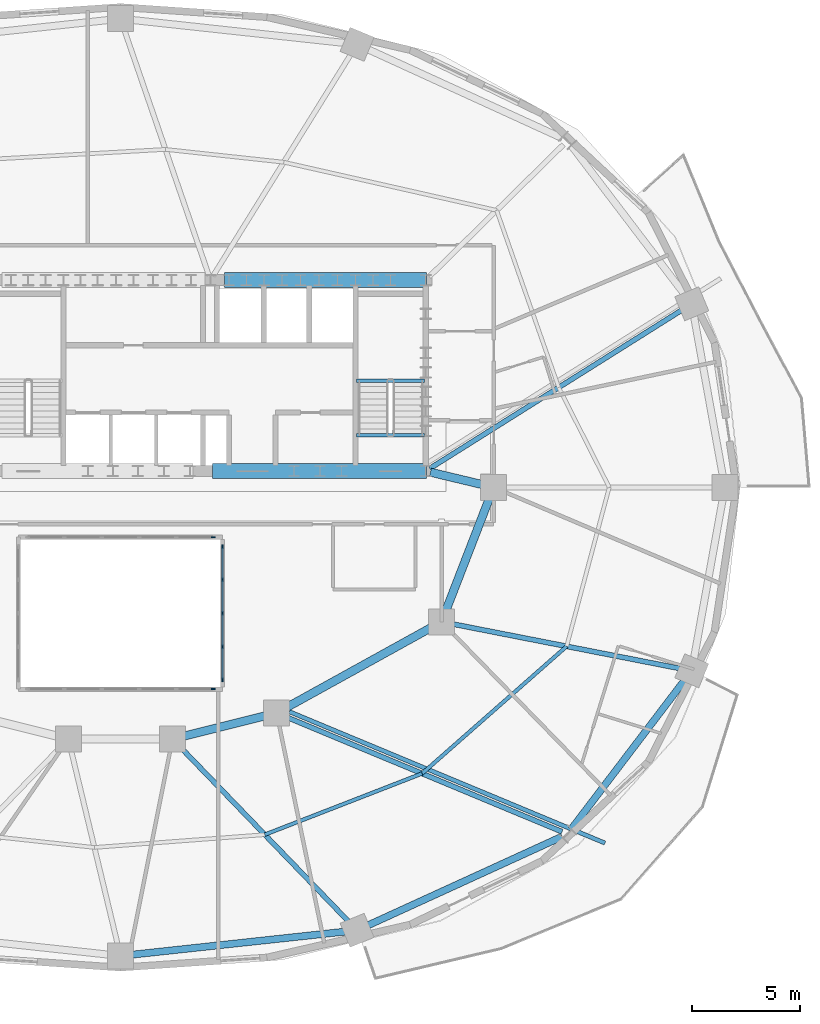
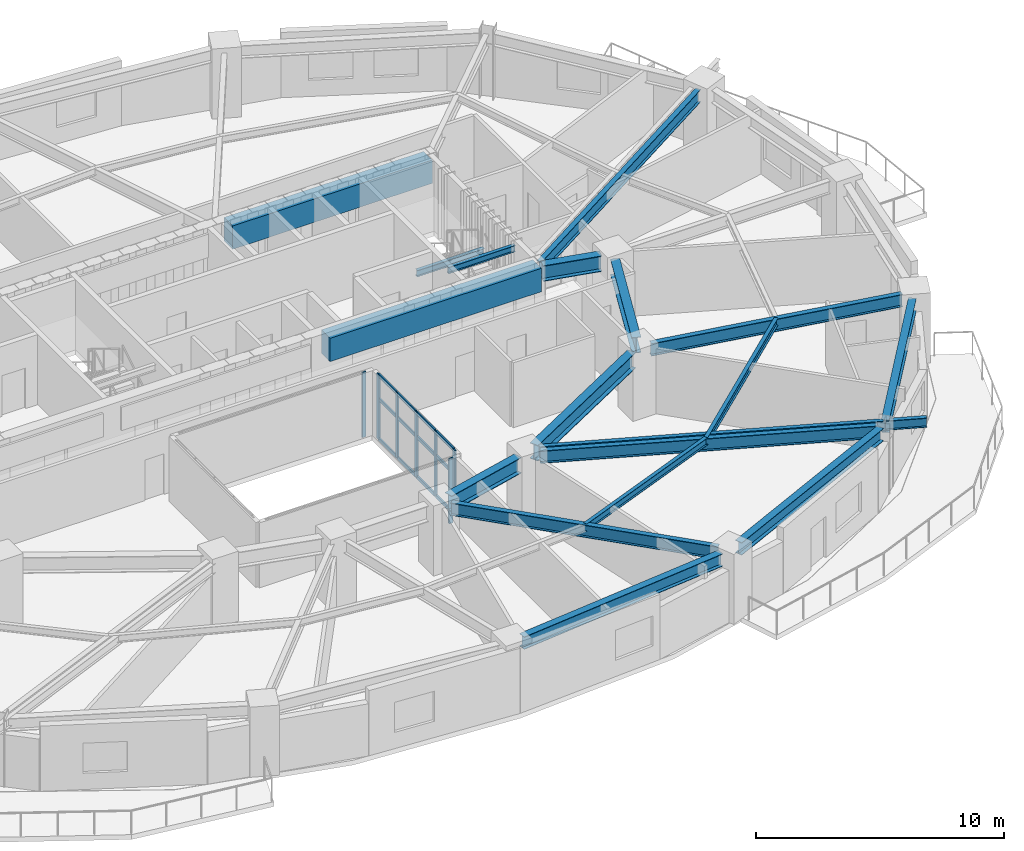
# One storey, part 4 of 12: 19 members, 18 beams, 3 elements without a shape of their own.
"""IFC4 building model written with IfcOpenShell, lengths in metres."""

from ifc_helpers import new_model, si_unit, direction, frame, origin, origin_2d, place, context, subcontext, project, spatial, rectangle, i_section, extrude, material, material_profile, profile_set, type_object, element, aggregate, save


model = new_model("IFC4")

# Units and contexts
model_context = context("Model", 3, precision=1e-05, world=origin(), true_north=direction((0.0, 1.0)))
body_context = subcontext(model_context, "Body", "Model", "MODEL_VIEW")
ifc_project = project(units=[si_unit("LENGTHUNIT", "METRE"), si_unit("AREAUNIT", "SQUARE_METRE"), si_unit("VOLUMEUNIT", "CUBIC_METRE"), si_unit("PLANEANGLEUNIT", "RADIAN"), si_unit("MASSUNIT", "GRAM", prefix="KILO")], contexts=[model_context])

# Site, building, storey
site_placement = place(None, origin())
site = spatial("IfcSite", under=ifc_project, at=site_placement, CompositionType="ELEMENT")
building_placement = place(site_placement, origin())
building = spatial("IfcBuilding", under=site, at=building_placement, Name="Haldorwick Loom Tower", CompositionType="ELEMENT")
storey_placement = place(building_placement, frame((0.0, 0.0, 117.35009765625)))
storey = spatial("IfcBuildingStorey", under=building, at=storey_placement, Name="L31", CompositionType="ELEMENT", Elevation=117.35009765625)

# Curtain wall, member
ifc_material_1 = material(Name="Thermally Broken Anodized Aluminium Curtain Wall Framing", Category="aluminium")
curtain_wall_type = type_object("IfcCurtainWallType", Name="ARC-CW-03", PredefinedType="NOTDEFINED", material=ifc_material_1)
curtain_wall_1_placement = place(storey_placement, origin())
curtain_wall_1 = element("IfcCurtainWall", 1, at=curtain_wall_1_placement, inside=storey, type_object=curtain_wall_type, Name="L31 Atrium Glazed Screen S", PredefinedType="NOTDEFINED")
ifc_material_profile_1 = material_profile(ifc_material_1, rectangle(XDim=0.06591796875, YDim=0.18505859375, at=origin_2d()), Name="ALU_MUL_66X185", Category="aluminium")
ifc_profile_set_1 = profile_set([ifc_material_profile_1], Name="Thermally Broken Anodized Aluminium Curtain Wall Framing")
member_type_1 = type_object("IfcMemberType", Name="ARC-CWM-03", PredefinedType="MULLION", material=ifc_profile_set_1)
member_1_placement = place(storey_placement, frame((40.26708984375, 16.699951171875, 0.0), z_axis=(0.0, 0.0, 1.0), x_axis=(0.0, -1.0, 0.0)))
member_1 = element("IfcMember", 2, at=member_1_placement, type_object=member_type_1, Name="CW-03 mullion 1", PredefinedType="MULLION", context=body_context, shape_type="SweptSolid", body=[
    extrude(rectangle(XDim=0.06591796875, YDim=0.18505859375, at=origin_2d()), origin(), (0.0, 0.0, 1.0), 3.2099609375),
])
aggregate(curtain_wall_1, [member_1])

curtain_wall_2_placement = place(storey_placement, origin())
curtain_wall_2 = element("IfcCurtainWall", 3, at=curtain_wall_2_placement, inside=storey, type_object=curtain_wall_type, Name="L31 Atrium Glazed Screen N", PredefinedType="NOTDEFINED")
member_2_placement = place(storey_placement, frame((40.26708984375, 23.699951171875, 0.0), z_axis=(0.0, 0.0, 1.0), x_axis=(0.0, 1.0, 0.0)))
member_2 = element("IfcMember", 4, at=member_2_placement, type_object=member_type_1, Name="CW-03 mullion 6", PredefinedType="MULLION", context=body_context, shape_type="SweptSolid", body=[
    extrude(rectangle(XDim=0.06591796875, YDim=0.18505859375, at=origin_2d()), origin(), (0.0, 0.0, 1.0), 3.2099609375),
])
aggregate(curtain_wall_2, [member_2])

# Curtain wall, members
curtain_wall_3_placement = place(storey_placement, origin())
curtain_wall_3 = element("IfcCurtainWall", 5, at=curtain_wall_3_placement, inside=storey, type_object=curtain_wall_type, Name="L31 Atrium Glazed Screen E", PredefinedType="NOTDEFINED")
member_3_placement = place(storey_placement, frame((40.699951171875, 23.26708984375, 0.0), z_axis=(0.0, 0.0, 1.0), x_axis=(1.0, 0.0, 0.0)))
member_3 = element("IfcMember", 6, at=member_3_placement, type_object=member_type_1, Name="CW-03 mullion 1", PredefinedType="MULLION", context=body_context, shape_type="SweptSolid", body=[
    extrude(rectangle(XDim=0.06591796875, YDim=0.18505859375, at=origin_2d()), origin(), (0.0, 0.0, 1.0), 3.2099609375),
])
member_4_placement = place(storey_placement, frame((40.699951171875, 21.75, 0.0), z_axis=(0.0, 0.0, 1.0), x_axis=(1.0, 0.0, 0.0)))
member_4 = element("IfcMember", 7, at=member_4_placement, type_object=member_type_1, Name="CW-03 mullion 2", PredefinedType="MULLION", context=body_context, shape_type="SweptSolid", body=[
    extrude(rectangle(XDim=0.06591796875, YDim=0.18505859375, at=origin_2d()), origin(), (0.0, 0.0, 1.0), 3.2099609375),
])
member_5_placement = place(storey_placement, frame((40.699951171875, 20.199951171875, 0.0), z_axis=(0.0, 0.0, 1.0), x_axis=(1.0, 0.0, 0.0)))
member_5 = element("IfcMember", 8, at=member_5_placement, type_object=member_type_1, Name="CW-03 mullion 3", PredefinedType="MULLION", context=body_context, shape_type="SweptSolid", body=[
    extrude(rectangle(XDim=0.06591796875, YDim=0.18505859375, at=origin_2d()), origin(), (0.0, 0.0, 1.0), 3.2099609375),
])
member_6_placement = place(storey_placement, frame((40.699951171875, 18.64990234375, 0.0), z_axis=(0.0, 0.0, 1.0), x_axis=(1.0, 0.0, 0.0)))
member_6 = element("IfcMember", 9, at=member_6_placement, type_object=member_type_1, Name="CW-03 mullion 4", PredefinedType="MULLION", context=body_context, shape_type="SweptSolid", body=[
    extrude(rectangle(XDim=0.06591796875, YDim=0.18505859375, at=origin_2d()), origin(), (0.0, 0.0, 1.0), 3.2099609375),
])
member_7_placement = place(storey_placement, frame((40.699951171875, 17.133056640625, 0.0), z_axis=(0.0, 0.0, 1.0), x_axis=(1.0, 0.0, 0.0)))
member_7 = element("IfcMember", 10, at=member_7_placement, type_object=member_type_1, Name="CW-03 mullion 5", PredefinedType="MULLION", context=body_context, shape_type="SweptSolid", body=[
    extrude(rectangle(XDim=0.06591796875, YDim=0.18505859375, at=origin_2d()), origin(), (0.0, 0.0, 1.0), 3.2099609375),
])
ifc_material_profile_2 = material_profile(ifc_material_1, rectangle(XDim=0.06591796875, YDim=0.1650390625, at=origin_2d()), Name="ALU_TRN_66X165", Category="aluminium")
ifc_profile_set_2 = profile_set([ifc_material_profile_2], Name="Thermally Broken Anodized Aluminium Curtain Wall Framing")
member_type_2 = type_object("IfcMemberType", Name="ARC-CWT-03", PredefinedType="USERDEFINED", material=ifc_profile_set_2)
member_8_placement = place(storey_placement, frame((40.699951171875, 23.23388671875, 0.032958984375), z_axis=(0.0, -1.0, 0.0), x_axis=(1.0, 0.0, 0.0)))
member_8 = element("IfcMember", 11, at=member_8_placement, type_object=member_type_2, Name="CW-03 transom 1.1", ObjectType="TRANSOM", PredefinedType="USERDEFINED", context=body_context, shape_type="SweptSolid", body=[
    extrude(rectangle(XDim=0.06591796875, YDim=0.1650390625, at=origin_2d()), origin(), (0.0, 0.0, 1.0), 1.450927734375),
])
member_9_placement = place(storey_placement, frame((40.699951171875, 23.23388671875, 2.0), z_axis=(0.0, -1.0, 0.0), x_axis=(1.0, 0.0, 0.0)))
member_9 = element("IfcMember", 12, at=member_9_placement, type_object=member_type_2, Name="CW-03 transom 1.2", ObjectType="TRANSOM", PredefinedType="USERDEFINED", context=body_context, shape_type="SweptSolid", body=[
    extrude(rectangle(XDim=0.06591796875, YDim=0.1650390625, at=origin_2d()), origin(), (0.0, 0.0, 1.0), 1.450927734375),
])
member_10_placement = place(storey_placement, frame((40.699951171875, 23.23388671875, 3.177001953125), z_axis=(0.0, -1.0, 0.0), x_axis=(1.0, 0.0, 0.0)))
member_10 = element("IfcMember", 13, at=member_10_placement, type_object=member_type_2, Name="CW-03 transom 1.3", ObjectType="TRANSOM", PredefinedType="USERDEFINED", context=body_context, shape_type="SweptSolid", body=[
    extrude(rectangle(XDim=0.06591796875, YDim=0.1650390625, at=origin_2d()), origin(), (0.0, 0.0, 1.0), 1.450927734375),
])
member_11_placement = place(storey_placement, frame((40.699951171875, 21.717041015625, 0.032958984375), z_axis=(0.0, -1.0, 0.0), x_axis=(1.0, 0.0, 0.0)))
member_11 = element("IfcMember", 14, at=member_11_placement, type_object=member_type_2, Name="CW-03 transom 2.1", ObjectType="TRANSOM", PredefinedType="USERDEFINED", context=body_context, shape_type="SweptSolid", body=[
    extrude(rectangle(XDim=0.06591796875, YDim=0.1650390625, at=origin_2d()), origin(), (0.0, 0.0, 1.0), 1.484130859375),
])
member_12_placement = place(storey_placement, frame((40.699951171875, 21.717041015625, 2.0), z_axis=(0.0, -1.0, 0.0), x_axis=(1.0, 0.0, 0.0)))
member_12 = element("IfcMember", 15, at=member_12_placement, type_object=member_type_2, Name="CW-03 transom 2.2", ObjectType="TRANSOM", PredefinedType="USERDEFINED", context=body_context, shape_type="SweptSolid", body=[
    extrude(rectangle(XDim=0.06591796875, YDim=0.1650390625, at=origin_2d()), origin(), (0.0, 0.0, 1.0), 1.484130859375),
])
member_13_placement = place(storey_placement, frame((40.699951171875, 21.717041015625, 3.177001953125), z_axis=(0.0, -1.0, 0.0), x_axis=(1.0, 0.0, 0.0)))
member_13 = element("IfcMember", 16, at=member_13_placement, type_object=member_type_2, Name="CW-03 transom 2.3", ObjectType="TRANSOM", PredefinedType="USERDEFINED", context=body_context, shape_type="SweptSolid", body=[
    extrude(rectangle(XDim=0.06591796875, YDim=0.1650390625, at=origin_2d()), origin(), (0.0, 0.0, 1.0), 1.484130859375),
])
member_14_placement = place(storey_placement, frame((40.699951171875, 20.1669921875, 0.032958984375), z_axis=(0.0, -1.0, 0.0), x_axis=(1.0, 0.0, 0.0)))
member_14 = element("IfcMember", 17, at=member_14_placement, type_object=member_type_2, Name="CW-03 transom 3.1", ObjectType="TRANSOM", PredefinedType="USERDEFINED", context=body_context, shape_type="SweptSolid", body=[
    extrude(rectangle(XDim=0.06591796875, YDim=0.1650390625, at=origin_2d()), origin(), (0.0, 0.0, 1.0), 1.48388671875),
])
member_15_placement = place(storey_placement, frame((40.699951171875, 20.1669921875, 2.0), z_axis=(0.0, -1.0, 0.0), x_axis=(1.0, 0.0, 0.0)))
member_15 = element("IfcMember", 18, at=member_15_placement, type_object=member_type_2, Name="CW-03 transom 3.2", ObjectType="TRANSOM", PredefinedType="USERDEFINED", context=body_context, shape_type="SweptSolid", body=[
    extrude(rectangle(XDim=0.06591796875, YDim=0.1650390625, at=origin_2d()), origin(), (0.0, 0.0, 1.0), 1.48388671875),
])
member_16_placement = place(storey_placement, frame((40.699951171875, 20.1669921875, 3.177001953125), z_axis=(0.0, -1.0, 0.0), x_axis=(1.0, 0.0, 0.0)))
member_16 = element("IfcMember", 19, at=member_16_placement, type_object=member_type_2, Name="CW-03 transom 3.3", ObjectType="TRANSOM", PredefinedType="USERDEFINED", context=body_context, shape_type="SweptSolid", body=[
    extrude(rectangle(XDim=0.06591796875, YDim=0.1650390625, at=origin_2d()), origin(), (0.0, 0.0, 1.0), 1.48388671875),
])
member_17_placement = place(storey_placement, frame((40.699951171875, 18.616943359375, 0.032958984375), z_axis=(0.0, -1.0, 0.0), x_axis=(1.0, 0.0, 0.0)))
member_17 = element("IfcMember", 20, at=member_17_placement, type_object=member_type_2, Name="CW-03 transom 4.1", ObjectType="TRANSOM", PredefinedType="USERDEFINED", context=body_context, shape_type="SweptSolid", body=[
    extrude(rectangle(XDim=0.06591796875, YDim=0.1650390625, at=origin_2d()), origin(), (0.0, 0.0, 1.0), 1.450927734375),
])
member_18_placement = place(storey_placement, frame((40.699951171875, 18.616943359375, 2.0), z_axis=(0.0, -1.0, 0.0), x_axis=(1.0, 0.0, 0.0)))
member_18 = element("IfcMember", 21, at=member_18_placement, type_object=member_type_2, Name="CW-03 transom 4.2", ObjectType="TRANSOM", PredefinedType="USERDEFINED", context=body_context, shape_type="SweptSolid", body=[
    extrude(rectangle(XDim=0.06591796875, YDim=0.1650390625, at=origin_2d()), origin(), (0.0, 0.0, 1.0), 1.450927734375),
])
member_19_placement = place(storey_placement, frame((40.699951171875, 18.616943359375, 3.177001953125), z_axis=(0.0, -1.0, 0.0), x_axis=(1.0, 0.0, 0.0)))
member_19 = element("IfcMember", 22, at=member_19_placement, type_object=member_type_2, Name="CW-03 transom 4.3", ObjectType="TRANSOM", PredefinedType="USERDEFINED", context=body_context, shape_type="SweptSolid", body=[
    extrude(rectangle(XDim=0.06591796875, YDim=0.1650390625, at=origin_2d()), origin(), (0.0, 0.0, 1.0), 1.450927734375),
])
aggregate(curtain_wall_3, [member_3, member_4, member_5, member_6, member_7, member_8, member_9, member_10, member_11, member_12, member_13, member_14, member_15, member_16, member_17, member_18, member_19])

# Beams
ifc_material_2 = material(Name="Steel CSA G40.21 350W", Category="steel")
ifc_material_profile_3 = material_profile(ifc_material_2, i_section(OverallWidth=0.193115234375, OverallDepth=0.466064453125, WebThickness=0.011474609375, FlangeThickness=0.01904296875, at=origin_2d()), Name="W460X97", Category="steel")
ifc_profile_set_3 = profile_set([ifc_material_profile_3], Name="Steel CSA G40.21 350W")
beam_type_1 = type_object("IfcBeamType", Name="STR-BM-BAL460", PredefinedType="BEAM", material=ifc_profile_set_3)
beam_1_placement = place(storey_placement, frame((43.78759765625, 15.65869140625, 2.976806640625), z_axis=(0.923187850755, -0.384349049976, 0.0), x_axis=(0.384349049976, 0.923187850755, 0.0)))
element("IfcBeam", 23, at=beam_1_placement, inside=storey, type_object=beam_type_1, Name="L31 Continuous Back-Spanned Balcony Beam 1", PredefinedType="BEAM", context=body_context, shape_type="SweptSolid", body=[
    extrude(i_section(OverallWidth=0.193115234375, OverallDepth=0.466064453125, WebThickness=0.011474609375, FlangeThickness=0.01904296875, at=origin_2d()), origin(), (0.0, 0.0, 1.0), 15.75244140625),
])
ifc_material_3 = material(Name="Concrete C60 (60 MPa)", Category="concrete")
ifc_material_profile_4 = material_profile(ifc_material_3, rectangle(XDim=0.699951171875, YDim=1.14990234375, at=origin_2d()), Name="RC700X1150", Category="concrete")
ifc_profile_set_4 = profile_set([ifc_material_profile_4], Name="Concrete C60 (60 MPa)")
beam_type_2 = type_object("IfcBeamType", Name="STR-BM-CB1150", PredefinedType="LINTEL", material=ifc_profile_set_4)
beam_2_placement = place(storey_placement, frame((40.800048828125, 35.550048828125, 2.635009765625), z_axis=(1.0, 0.0, 0.0), x_axis=(0.0, 1.0, 0.0)))
element("IfcBeam", 24, at=beam_2_placement, inside=storey, type_object=beam_type_2, Name="L31 Core Coupling Beam CB-N3", PredefinedType="LINTEL", context=body_context, shape_type="SweptSolid", body=[
    extrude(rectangle(XDim=0.699951171875, YDim=1.14990234375, at=origin_2d()), origin(), (0.0, 0.0, 1.0), 9.300048828125),
])
beam_3_placement = place(storey_placement, frame((40.25, 26.75, 2.635009765625), z_axis=(1.0, 0.0, 0.0), x_axis=(0.0, 1.0, 0.0)))
element("IfcBeam", 25, at=beam_3_placement, inside=storey, type_object=beam_type_2, Name="L31 Core Coupling Beam CB-S3", PredefinedType="LINTEL", context=body_context, shape_type="SweptSolid", body=[
    extrude(rectangle(XDim=0.699951171875, YDim=1.14990234375, at=origin_2d()), origin(), (0.0, 0.0, 1.0), 9.85009765625),
])
ifc_material_profile_5 = material_profile(ifc_material_2, i_section(OverallWidth=0.172119140625, OverallDepth=0.35791015625, WebThickness=0.0078125, FlangeThickness=0.01318359375, at=origin_2d()), Name="W360X57", Category="steel")
ifc_profile_set_5 = profile_set([ifc_material_profile_5], Name="Steel CSA G40.21 350W")
beam_type_3 = type_object("IfcBeamType", Name="STR-BM-J360", PredefinedType="JOIST", material=ifc_profile_set_5)
beam_4_placement = place(storey_placement, frame((42.6533203125, 9.9912109375, 3.031005859375), z_axis=(0.932072983051, 0.362270553959, 0.0), x_axis=(-0.362270553959, 0.932072983051, 0.0)))
element("IfcBeam", 26, at=beam_4_placement, inside=storey, type_object=beam_type_3, Name="L31 Mid-Bay Secondary Joist 14", PredefinedType="JOIST", context=body_context, shape_type="SweptSolid", body=[
    extrude(i_section(OverallWidth=0.172119140625, OverallDepth=0.35791015625, WebThickness=0.0078125, FlangeThickness=0.01318359375, at=origin_2d()), origin(), (0.0, 0.0, 1.0), 7.7783203125),
])
beam_5_placement = place(storey_placement, frame((49.9033203125, 12.80908203125, 3.031005859375), z_axis=(0.750721157729, 0.660619212057, 0.0), x_axis=(-0.660619212057, 0.750721157729, 0.0)))
element("IfcBeam", 27, at=beam_5_placement, inside=storey, type_object=beam_type_3, Name="L31 Mid-Bay Secondary Joist 15", PredefinedType="JOIST", context=body_context, shape_type="SweptSolid", body=[
    extrude(i_section(OverallWidth=0.172119140625, OverallDepth=0.35791015625, WebThickness=0.0078125, FlangeThickness=0.01318359375, at=origin_2d()), origin(), (0.0, 0.0, 1.0), 8.8740234375),
])
ifc_material_profile_6 = material_profile(ifc_material_2, i_section(OverallWidth=0.324951171875, OverallDepth=0.615966796875, WebThickness=0.013916015625, FlangeThickness=0.021484375, at=origin_2d()), Name="W610X174", Category="steel")
ifc_profile_set_6 = profile_set([ifc_material_profile_6], Name="Steel CSA G40.21 350W")
beam_type_4 = type_object("IfcBeamType", Name="STR-BM-SP610", PredefinedType="SPANDREL", material=ifc_profile_set_6)
beam_6_placement = place(storey_placement, frame((36.51708984375, 4.45751953125, 2.90185546875), z_axis=(0.994190135627, 0.107638163409, 0.0), x_axis=(-0.107638163409, 0.994190135627, 0.0)))
element("IfcBeam", 28, at=beam_6_placement, inside=storey, type_object=beam_type_4, Name="L31 Perimeter Spandrel 13", PredefinedType="SPANDREL", context=body_context, shape_type="SweptSolid", body=[
    extrude(i_section(OverallWidth=0.324951171875, OverallDepth=0.615966796875, WebThickness=0.013916015625, FlangeThickness=0.021484375, at=origin_2d()), origin(), (0.0, 0.0, 1.0), 9.929931640625),
])
beam_7_placement = place(storey_placement, frame((47.37939453125, 5.798583984375, 2.90185546875), z_axis=(0.909423969306, 0.415870225011, 0.0), x_axis=(-0.415870225011, 0.909423969306, 0.0)))
element("IfcBeam", 29, at=beam_7_placement, inside=storey, type_object=beam_type_4, Name="L31 Perimeter Spandrel 14", PredefinedType="SPANDREL", context=body_context, shape_type="SweptSolid", body=[
    extrude(i_section(OverallWidth=0.324951171875, OverallDepth=0.615966796875, WebThickness=0.013916015625, FlangeThickness=0.021484375, at=origin_2d()), origin(), (0.0, 0.0, 1.0), 9.871337890625),
])
beam_8_placement = place(storey_placement, frame((56.773193359375, 10.2373046875, 2.90185546875), z_axis=(0.605453508047, 0.795880675475, 0.0), x_axis=(-0.795880675475, 0.605453508047, 0.0)))
element("IfcBeam", 30, at=beam_8_placement, inside=storey, type_object=beam_type_4, Name="L31 Perimeter Spandrel 15", PredefinedType="SPANDREL", context=body_context, shape_type="SweptSolid", body=[
    extrude(i_section(OverallWidth=0.324951171875, OverallDepth=0.615966796875, WebThickness=0.013916015625, FlangeThickness=0.021484375, at=origin_2d()), origin(), (0.0, 0.0, 1.0), 8.6591796875),
])
ifc_material_profile_7 = material_profile(ifc_material_2, i_section(OverallWidth=0.166015625, OverallDepth=0.31298828125, WebThickness=0.006591796875, FlangeThickness=0.01123046875, at=origin_2d()), Name="W310X45", Category="steel")
ifc_profile_set_7 = profile_set([ifc_material_profile_7], Name="Steel CSA G40.21 350W")
beam_type_5 = type_object("IfcBeamType", Name="STR-BM-STRM", PredefinedType="BEAM", material=ifc_profile_set_7)
for number, where, z_axis, x_axis, name in (
    (31, (46.889892578125, 28.39990234375, 3.053466796875), (1.0, 0.0, 0.0), (0.0, 1.0, 0.0), "L31 Stair ST-02 Landing Edge Trimmer"),
    (32, (46.889892578125, 30.919921875, 1.368408203125), (1.0, 0.0, 0.0), (0.0, 1.0, 0.0), "L31 Stair ST-02 Half-Landing Trimmer 1"),
):
    element("IfcBeam", number, at=place(storey_placement, frame(where, z_axis=z_axis, x_axis=x_axis)), inside=storey, type_object=beam_type_5, Name=name, PredefinedType="BEAM", context=body_context, shape_type="SweptSolid", body=[
        extrude(i_section(OverallWidth=0.166015625, OverallDepth=0.31298828125, WebThickness=0.006591796875, FlangeThickness=0.01123046875, at=origin_2d()), origin(), (0.0, 0.0, 1.0), 3.1201171875),
    ])
ifc_material_profile_8 = material_profile(ifc_material_2, i_section(OverallWidth=0.22998046875, OverallDepth=0.616943359375, WebThickness=0.01318359375, FlangeThickness=0.022216796875, at=origin_2d()), Name="W610X140", Category="steel")
ifc_profile_set_8 = profile_set([ifc_material_profile_8], Name="Steel CSA G40.21 350W")
beam_type_6 = type_object("IfcBeamType", Name="STR-BM-W610B", PredefinedType="BEAM", material=ifc_profile_set_8)
beam_9_placement = place(storey_placement, frame((50.260498046875, 26.86962890625, 2.9013671875), z_axis=(0.846609551433, 0.532214493811, 0.0), x_axis=(-0.532214493811, 0.846609551433, 0.0)))
element("IfcBeam", 33, at=beam_9_placement, inside=storey, type_object=beam_type_6, Name="L31 Radial Floor Girder 2", PredefinedType="BEAM", context=body_context, shape_type="SweptSolid", body=[
    extrude(i_section(OverallWidth=0.22998046875, OverallDepth=0.616943359375, WebThickness=0.01318359375, FlangeThickness=0.022216796875, at=origin_2d()), origin(), (0.0, 0.0, 1.0), 13.737060546875),
])
beam_10_placement = place(storey_placement, frame((38.760986328125, 14.02587890625, 2.9013671875), z_axis=(0.694287071595, -0.719698174387, 0.0), x_axis=(0.719698174387, 0.694287071595, 0.0)))
element("IfcBeam", 34, at=beam_10_placement, inside=storey, type_object=beam_type_6, Name="L31 Radial Floor Girder 14", PredefinedType="BEAM", context=body_context, shape_type="SweptSolid", body=[
    extrude(i_section(OverallWidth=0.22998046875, OverallDepth=0.616943359375, WebThickness=0.01318359375, FlangeThickness=0.022216796875, at=origin_2d()), origin(), (0.0, 0.0, 1.0), 11.212158203125),
])
beam_11_placement = place(storey_placement, frame((43.68017578125, 15.400146484375, 2.9013671875), z_axis=(0.923183704764, -0.384359008297, 0.0), x_axis=(0.384359008297, 0.923183704764, 0.0)))
element("IfcBeam", 35, at=beam_11_placement, inside=storey, type_object=beam_type_6, Name="L31 Radial Floor Girder 15", PredefinedType="BEAM", context=body_context, shape_type="SweptSolid", body=[
    extrude(i_section(OverallWidth=0.22998046875, OverallDepth=0.616943359375, WebThickness=0.01318359375, FlangeThickness=0.022216796875, at=origin_2d()), origin(), (0.0, 0.0, 1.0), 13.72705078125),
])
beam_12_placement = place(storey_placement, frame((51.310302734375, 19.7001953125, 2.9013671875), z_axis=(0.981369581426, -0.192129499692, 0.0), x_axis=(0.192129499692, 0.981369581426, 0.0)))
element("IfcBeam", 36, at=beam_12_placement, inside=storey, type_object=beam_type_6, Name="L31 Radial Floor Girder 16", PredefinedType="BEAM", context=body_context, shape_type="SweptSolid", body=[
    extrude(i_section(OverallWidth=0.22998046875, OverallDepth=0.616943359375, WebThickness=0.01318359375, FlangeThickness=0.022216796875, at=origin_2d()), origin(), (0.0, 0.0, 1.0), 10.70947265625),
])
ifc_material_profile_9 = material_profile(ifc_material_2, i_section(OverallWidth=0.381103515625, OverallDepth=0.77294921875, WebThickness=0.0166015625, FlangeThickness=0.027587890625, at=origin_2d()), Name="W760X257", Category="steel")
ifc_profile_set_9 = profile_set([ifc_material_profile_9], Name="Steel CSA G40.21 350W")
beam_type_7 = type_object("IfcBeamType", Name="STR-BM-W760", PredefinedType="BEAM", material=ifc_profile_set_9)
beam_13_placement = place(storey_placement, frame((50.288818359375, 26.697509765625, 2.823486328125), z_axis=(0.97247055837, -0.233025777764, 0.0), x_axis=(0.233025777764, 0.97247055837, 0.0)))
element("IfcBeam", 37, at=beam_13_placement, inside=storey, type_object=beam_type_7, Name="L31 Inner Ring Girder 1", PredefinedType="BEAM", context=body_context, shape_type="SweptSolid", body=[
    extrude(i_section(OverallWidth=0.381103515625, OverallDepth=0.77294921875, WebThickness=0.0166015625, FlangeThickness=0.027587890625, at=origin_2d()), origin(), (0.0, 0.0, 1.0), 2.4736328125),
])
beam_14_placement = place(storey_placement, frame((53.01220703125, 25.51513671875, 2.823486328125), z_axis=(-0.360964792353, -0.93257944363, 0.0), x_axis=(0.93257944363, -0.360964792353, 0.0)))
element("IfcBeam", 38, at=beam_14_placement, inside=storey, type_object=beam_type_7, Name="L31 Inner Ring Girder 2", PredefinedType="BEAM", context=body_context, shape_type="SweptSolid", body=[
    extrude(i_section(OverallWidth=0.381103515625, OverallDepth=0.77294921875, WebThickness=0.0166015625, FlangeThickness=0.027587890625, at=origin_2d()), origin(), (0.0, 0.0, 1.0), 5.6083984375),
])
beam_15_placement = place(storey_placement, frame((50.344970703125, 19.548583984375, 2.823486328125), z_axis=(-0.875244382146, -0.483680960471, 0.0), x_axis=(0.483680960471, -0.875244382146, 0.0)))
element("IfcBeam", 39, at=beam_15_placement, inside=storey, type_object=beam_type_7, Name="L31 Inner Ring Girder 3", PredefinedType="BEAM", context=body_context, shape_type="SweptSolid", body=[
    extrude(i_section(OverallWidth=0.381103515625, OverallDepth=0.77294921875, WebThickness=0.0166015625, FlangeThickness=0.027587890625, at=origin_2d()), origin(), (0.0, 0.0, 1.0), 7.6435546875),
])
beam_16_placement = place(storey_placement, frame((42.695556640625, 15.473876953125, 2.823486328125), z_axis=(-0.970142500145, -0.242535625036, 0.0), x_axis=(0.242535625036, -0.970142500145, 0.0)))
element("IfcBeam", 40, at=beam_16_placement, inside=storey, type_object=beam_type_7, Name="L31 Inner Ring Girder 4", PredefinedType="BEAM", context=body_context, shape_type="SweptSolid", body=[
    extrude(i_section(OverallWidth=0.381103515625, OverallDepth=0.77294921875, WebThickness=0.0166015625, FlangeThickness=0.027587890625, at=origin_2d()), origin(), (0.0, 0.0, 1.0), 3.90771484375),
])

save(model, "model.ifc")
